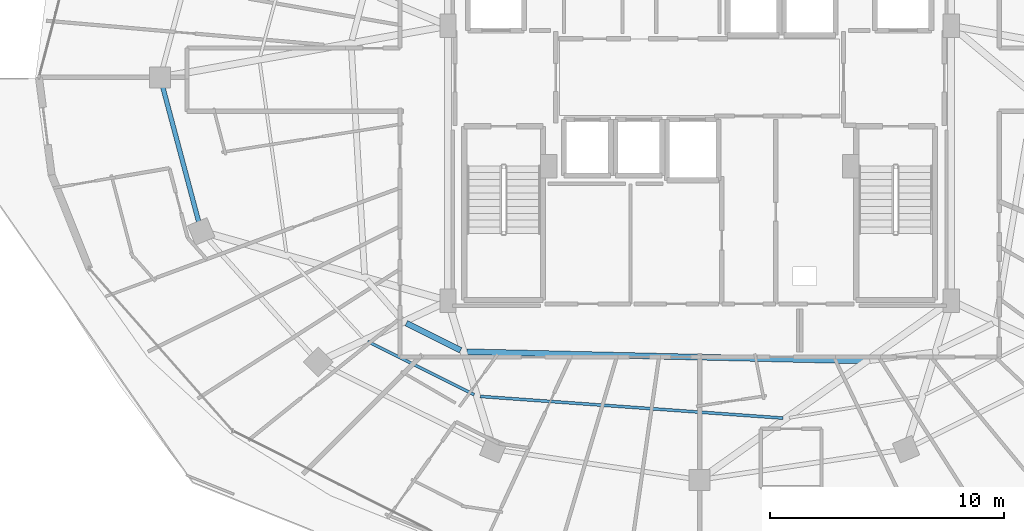
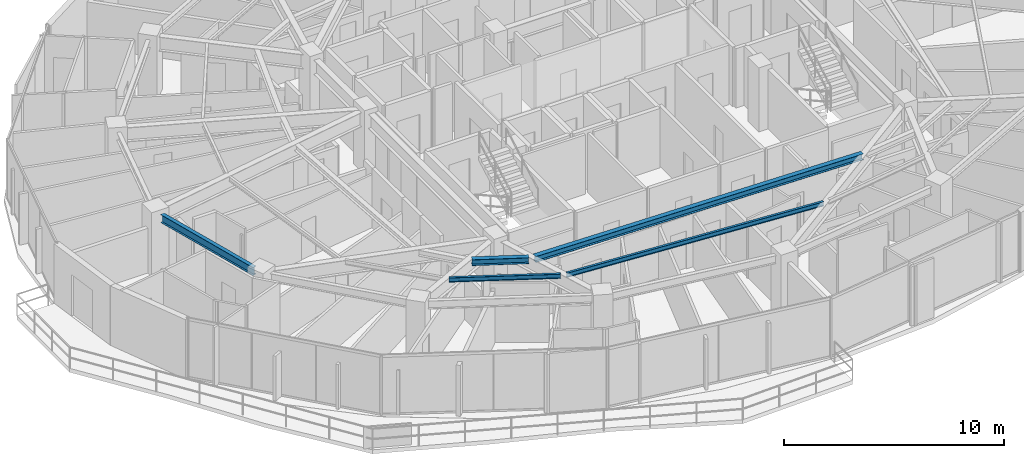
# One storey, part 6 of 33: 5 beams.
"""IFC4 building model written with IfcOpenShell, lengths in metres."""

from ifc_helpers import new_model, si_unit, direction, frame, origin, origin_2d, place, context, subcontext, project, spatial, i_section, extrude, material, material_profile, profile_set, type_object, element, save


model = new_model("IFC4")

# Units and contexts
model_context = context("Model", 3, precision=1e-05, world=origin(), true_north=direction((0.0, 1.0)))
body_context = subcontext(model_context, "Body", "Model", "MODEL_VIEW")
ifc_project = project(units=[si_unit("LENGTHUNIT", "METRE"), si_unit("AREAUNIT", "SQUARE_METRE"), si_unit("VOLUMEUNIT", "CUBIC_METRE"), si_unit("PLANEANGLEUNIT", "RADIAN"), si_unit("MASSUNIT", "GRAM", prefix="KILO")], contexts=[model_context])

# Site, building, storey
site_placement = place(None, origin())
site = spatial("IfcSite", under=ifc_project, at=site_placement, CompositionType="ELEMENT")
building_placement = place(site_placement, origin())
building = spatial("IfcBuilding", under=site, at=building_placement, Name="Vorneva Point Tower", CompositionType="ELEMENT")
storey_placement = place(building_placement, frame((0.0, 0.0, 200.10009765625)))
storey = spatial("IfcBuildingStorey", under=building, at=storey_placement, Name="L54", CompositionType="ELEMENT", Elevation=200.10009765625)

# Beams
ifc_material = material(Name="Steel S355", Category="steel")
ifc_material_profile_1 = material_profile(ifc_material, i_section(OverallWidth=0.1240234375, OverallDepth=0.248046875, WebThickness=0.0048828125, FlangeThickness=0.008056640625, at=origin_2d()), Name="25B1")
ifc_profile_set_1 = profile_set([ifc_material_profile_1], Name="Steel S355")
beam_type_1 = type_object("IfcBeamType", Name="BM-JST-25B1", PredefinedType="JOIST", material=ifc_profile_set_1)
beam_1_placement = place(storey_placement, frame((23.819580078125, 14.715087890625, 3.166015625), z_axis=(0.894062048445, -0.447943136493, 0.0), x_axis=(0.447943136493, 0.894062048445, 0.0)))
element("IfcBeam", 1, at=beam_1_placement, inside=storey, type_object=beam_type_1, Name="L54 Secondary Floor Beam 1.11", PredefinedType="JOIST", context=body_context, shape_type="SweptSolid", body=[
    extrude(i_section(OverallWidth=0.1240234375, OverallDepth=0.248046875, WebThickness=0.0048828125, FlangeThickness=0.008056640625, at=origin_2d()), origin(), (0.0, 0.0, 1.0), 5.085693359375),
])
beam_2_placement = place(storey_placement, frame((28.62744140625, 12.365234375, 3.166015625), z_axis=(0.997446639942, -0.071415687826, 0.0), x_axis=(0.071415687826, 0.997446639942, 0.0)))
element("IfcBeam", 2, at=beam_2_placement, inside=storey, type_object=beam_type_1, Name="L54 Secondary Floor Beam 1.12", PredefinedType="JOIST", context=body_context, shape_type="SweptSolid", body=[
    extrude(i_section(OverallWidth=0.1240234375, OverallDepth=0.248046875, WebThickness=0.0048828125, FlangeThickness=0.008056640625, at=origin_2d()), origin(), (0.0, 0.0, 1.0), 12.96337890625),
])
ifc_material_profile_2 = material_profile(ifc_material, i_section(OverallWidth=0.2490234375, OverallDepth=0.333984375, WebThickness=0.008056640625, FlangeThickness=0.010986328125, at=origin_2d()), Name="35Sh1")
ifc_profile_set_2 = profile_set([ifc_material_profile_2], Name="Steel S355")
beam_type_2 = type_object("IfcBeamType", Name="BM-SEC-35Sh1", PredefinedType="BEAM", material=ifc_profile_set_2)
beam_3_placement = place(storey_placement, frame((25.46728515625, 15.4912109375, 3.122802734375), z_axis=(0.895686614841, -0.444685830666, 0.0), x_axis=(0.444685830666, 0.895686614841, 0.0)))
element("IfcBeam", 3, at=beam_3_placement, inside=storey, type_object=beam_type_2, Name="L54 Secondary Floor Beam 2.11", PredefinedType="BEAM", context=body_context, shape_type="SweptSolid", body=[
    extrude(i_section(OverallWidth=0.2490234375, OverallDepth=0.333984375, WebThickness=0.008056640625, FlangeThickness=0.010986328125, at=origin_2d()), origin(), (0.0, 0.0, 1.0), 2.59033203125),
])
beam_4_placement = place(storey_placement, frame((28.048828125, 14.274658203125, 3.122802734375), z_axis=(0.999729817737, -0.023244171913, 0.0), x_axis=(0.023244171913, 0.999729817737, 0.0)))
element("IfcBeam", 4, at=beam_4_placement, inside=storey, type_object=beam_type_2, Name="L54 Secondary Floor Beam 2.12", PredefinedType="BEAM", context=body_context, shape_type="SweptSolid", body=[
    extrude(i_section(OverallWidth=0.2490234375, OverallDepth=0.333984375, WebThickness=0.008056640625, FlangeThickness=0.010986328125, at=origin_2d()), origin(), (0.0, 0.0, 1.0), 16.952392578125),
])
ifc_material_profile_3 = material_profile(ifc_material, i_section(OverallWidth=0.198974609375, OverallDepth=0.446044921875, WebThickness=0.008056640625, FlangeThickness=0.011962890625, at=origin_2d()), Name="45B1")
ifc_profile_set_3 = profile_set([ifc_material_profile_3], Name="Steel S355")
beam_type_3 = type_object("IfcBeamType", Name="BM-SPN-45B1", PredefinedType="SPANDREL", material=ifc_profile_set_3)
beam_5_placement = place(storey_placement, frame((15.06201171875, 25.57958984375, 3.06689453125), z_axis=(0.257578258003, -0.966257440336, 0.0), x_axis=(0.966257440336, 0.257578258003, 0.0)))
element("IfcBeam", 5, at=beam_5_placement, inside=storey, type_object=beam_type_3, Name="L54 Perimeter Spandrel Ring Beam 09", PredefinedType="SPANDREL", context=body_context, shape_type="SweptSolid", body=[
    extrude(i_section(OverallWidth=0.198974609375, OverallDepth=0.446044921875, WebThickness=0.008056640625, FlangeThickness=0.011962890625, at=origin_2d()), origin(), (0.0, 0.0, 1.0), 5.94189453125),
])

save(model, "model.ifc")
